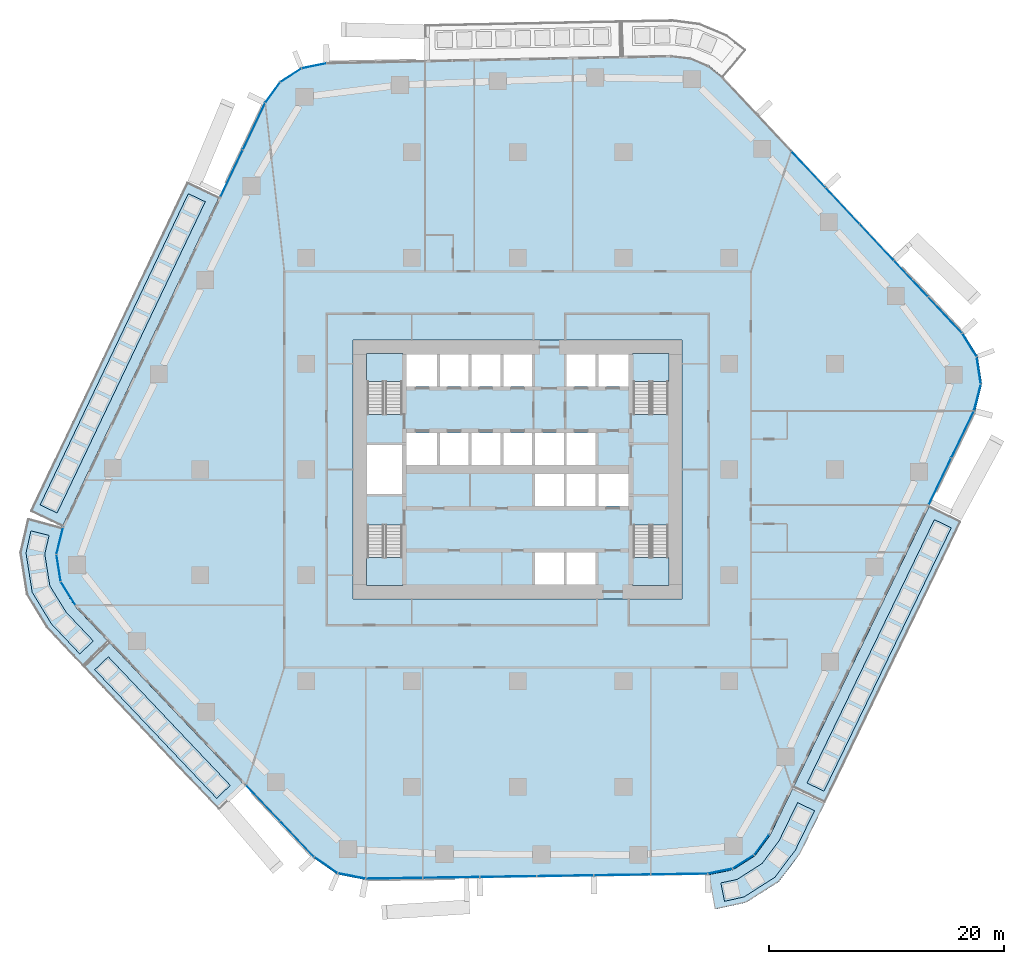
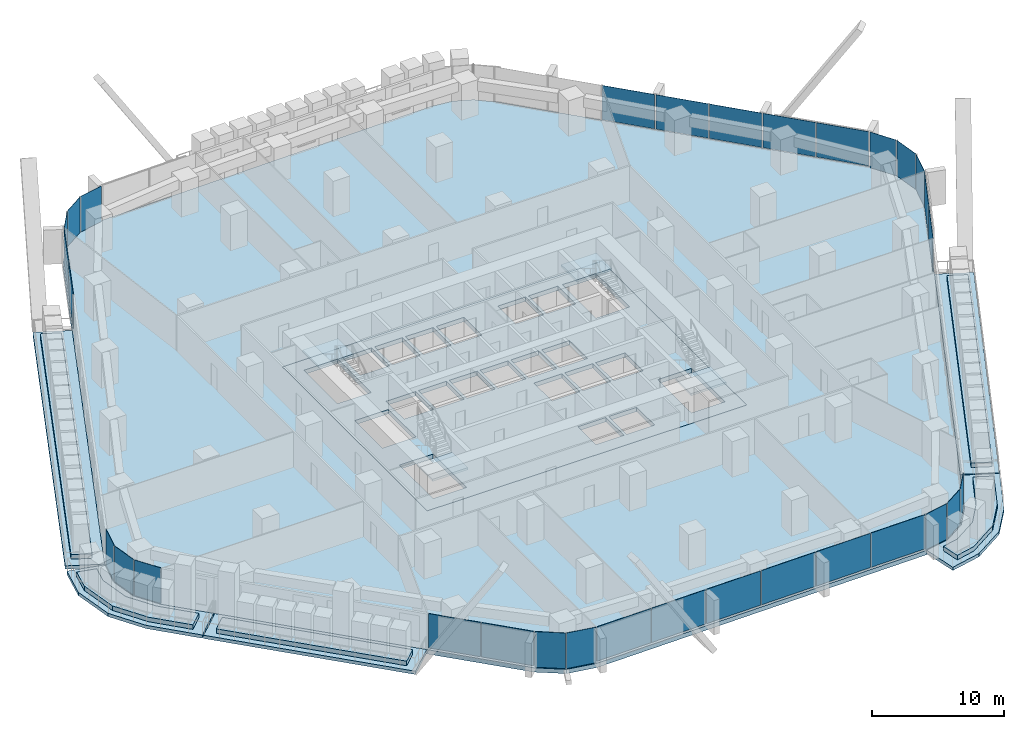
# One storey, part 10 of 24: 31 plates, 16 slabs, 14 elements without a shape of their own.
"""IFC4 building model written with IfcOpenShell, lengths in metres."""

import ifcopenshell
import ifcopenshell.guid

model = None  # the IFC model being written
_history = None  # IfcOwnerHistory: only IFC2X3 demands one
_inside = {}  # id of a spatial element -> (the spatial element, [elements in it])
_under = {}  # id of a project, library or spatial element -> (it, [spatial elements below it])
_declared = {}  # id of a project -> (the project, [libraries it declares])
_typed = {}  # id of a type object -> (the type object, [elements of that type])
_made_of = {}  # id of a material, layer set ... -> (it, [elements and type objects made of it])


def new_model(schema):
    """Start an empty IFC model of exactly this schema.

    Asked for "IFC4X3", IfcOpenShell would pick the latest addendum, in which some entities
    have other attributes; the version numbers below select the first issue.
    IFC2X3 requires an IfcOwnerHistory on every rooted entity: one is made here for all.
    """
    global model, _history
    if schema == "IFC4X3":
        model = ifcopenshell.file(schema_version=(4, 3, 0, 0))
    else:
        model = ifcopenshell.file(schema=schema)
    _inside.clear()
    _under.clear()
    _declared.clear()
    _typed.clear()
    _made_of.clear()
    _history = None
    if model.schema == "IFC2X3":
        org = make("IfcOrganization", Name="unknown")
        user = make(
            "IfcPersonAndOrganization",
            ThePerson=make("IfcPerson", FamilyName="unknown"),
            TheOrganization=org,
        )
        app = make(
            "IfcApplication",
            ApplicationDeveloper=org,
            Version="unknown",
            ApplicationFullName="unknown",
            ApplicationIdentifier="unknown",
        )
        _history = make(
            "IfcOwnerHistory",
            OwningUser=user,
            OwningApplication=app,
            ChangeAction="ADDED",
            CreationDate=0,
        )
    return model


def make(cls, **values):
    """One entity of the class cls with the attributes given. An attribute that is None is left unset."""
    return model.create_entity(
        cls, **{name: value for name, value in values.items() if value is not None}
    )


def rooted(cls, **values):
    """An entity with a GlobalId (a new one), such as an element, a storey or a relation."""
    return make(cls, GlobalId=ifcopenshell.guid.new(), OwnerHistory=_history, **values)


def si_unit(unit_type, name, prefix=None):
    """IfcSIUnit, for example si_unit("LENGTHUNIT", "METRE", prefix="MILLI")."""
    return make("IfcSIUnit", UnitType=unit_type, Prefix=prefix, Name=name)


def assignment(units):
    """IfcUnitAssignment: the units of a project."""
    return None if units is None else make("IfcUnitAssignment", Units=units)


def point(xyz):
    """IfcCartesianPoint."""
    return None if xyz is None else make("IfcCartesianPoint", Coordinates=xyz)


def direction(xyz):
    """IfcDirection."""
    return None if xyz is None else make("IfcDirection", DirectionRatios=xyz)


def frame(location, z_axis=None, x_axis=None):
    """IfcAxis2Placement3D, a coordinate frame: its origin and axes. An axis left out is left unset."""
    return make(
        "IfcAxis2Placement3D",
        Location=point(location),
        Axis=direction(z_axis),
        RefDirection=direction(x_axis),
    )


def frame_2d(location, x_axis=None):
    """IfcAxis2Placement2D, a coordinate frame in the plane: its origin and x axis."""
    return make(
        "IfcAxis2Placement2D", Location=point(location), RefDirection=direction(x_axis)
    )


def origin():
    """The frame at (0, 0, 0) with its axes left unset."""
    return frame((0.0, 0.0, 0.0))


def origin_2d():
    """The frame at (0, 0) in the plane with its x axis left unset."""
    return frame_2d((0.0, 0.0))


def place(relative_to, where):
    """IfcLocalPlacement: puts the frame where relative to a parent placement (None: the world)."""
    return make(
        "IfcLocalPlacement", PlacementRelTo=relative_to, RelativePlacement=where
    )


def context(
    kind, dimensions, precision=None, world=None, true_north=None, identifier=None
):
    """IfcGeometricRepresentationContext, for example the 3D "Model" context."""
    return make(
        "IfcGeometricRepresentationContext",
        ContextIdentifier=identifier,
        ContextType=kind,
        CoordinateSpaceDimension=dimensions,
        Precision=precision,
        WorldCoordinateSystem=world,
        TrueNorth=true_north,
    )


def subcontext(parent, identifier, kind, view, scale=None):
    """IfcGeometricRepresentationSubContext, for example "Body" below "Model"."""
    return make(
        "IfcGeometricRepresentationSubContext",
        ContextIdentifier=identifier,
        ContextType=kind,
        ParentContext=parent,
        TargetScale=scale,
        TargetView=view,
    )


def project(units=None, contexts=None):
    """IfcProject with its units and contexts."""
    return rooted(
        "IfcProject",
        Name="project",
        RepresentationContexts=contexts,
        UnitsInContext=assignment(units),
    )


def spatial(cls, under=None, at=None, **own):
    """A site, building, storey or space (cls), placed at a placement, below another one or the project."""
    s = rooted(cls, ObjectPlacement=at, **own)
    if under is not None:
        _under.setdefault(under.id(), (under, []))[1].append(s)
    return s


def polyline(points):
    """IfcPolyline through the points."""
    return make("IfcPolyline", Points=[point(p) for p in points])


def profile(cls, at=None, kind="AREA", **sizes):
    """A parametric profile (cls). Its sizes go by their IFC names, for example OverallWidth=200.0."""
    return make(cls, ProfileType=kind, Position=at, **sizes)


def rectangle(**sizes):
    """IfcRectangleProfileDef."""
    return profile("IfcRectangleProfileDef", **sizes)


def outline(outer, holes=None, kind="AREA"):
    """IfcArbitraryClosedProfileDef: a profile drawn as a closed curve; with holes, ...WithVoids."""
    if holes is None:
        return make("IfcArbitraryClosedProfileDef", ProfileType=kind, OuterCurve=outer)
    return make(
        "IfcArbitraryProfileDefWithVoids",
        ProfileType=kind,
        OuterCurve=outer,
        InnerCurves=holes,
    )


def extrude(swept, where, along, depth):
    """IfcExtrudedAreaSolid: the profile swept, set in the frame where, extruded along a direction by depth."""
    return make(
        "IfcExtrudedAreaSolid",
        SweptArea=swept,
        Position=where,
        ExtrudedDirection=direction(along),
        Depth=depth,
    )


def shape(context_of_items, identifier, shape_type, items):
    """IfcShapeRepresentation: the items that make up one representation, for example the "Body"."""
    return make(
        "IfcShapeRepresentation",
        ContextOfItems=context_of_items,
        RepresentationIdentifier=identifier,
        RepresentationType=shape_type,
        Items=items,
    )


def material(Name=None, Category=None):
    """IfcMaterial."""
    return make("IfcMaterial", Name=Name, Category=Category)


def layer(
    of_material, thickness, ventilated=None, Name=None, Category=None, Priority=None
):
    """IfcMaterialLayer: one layer of a wall or slab, of a material (None: an air gap)."""
    return make(
        "IfcMaterialLayer",
        Material=of_material,
        LayerThickness=thickness,
        IsVentilated=ventilated,
        Name=Name,
        Category=Category,
        Priority=Priority,
    )


def layer_set(layers, Name=None):
    """IfcMaterialLayerSet."""
    return make("IfcMaterialLayerSet", MaterialLayers=layers, LayerSetName=Name)


def made_of(thing, what):
    """Note that an element or type object is made of a material, layer set ...; save() writes the relation."""
    if what is not None:
        _made_of.setdefault(what.id(), (what, []))[1].append(thing)
    return thing


def type_object(cls, material=None, **own):
    """A type object (cls), such as IfcWallType, which elements share."""
    return made_of(rooted(cls, **own), material)


def element(
    cls,
    number,
    at=None,
    inside=None,
    cuts=None,
    type_object=None,
    material=None,
    context=None,
    identifier="Body",
    shape_type=None,
    held_by="IfcProductDefinitionShape",
    body=None,
    shapes=None,
    **own,
):
    """One element of the class cls, such as IfcWall. Its Tag is "e" and its number.

    at: its placement. inside: the storey or other place that contains it. cuts: it is an
    opening in that element (IfcRelVoidsElement). A single representation is given by context,
    identifier, shape_type and body (its items); several are given by shapes. held_by: the class
    of the entity that holds the representations. save() writes the other relations.
    """
    e = rooted(cls, Tag="e%d" % number, ObjectPlacement=at, **own)
    if body is not None:
        shapes = [shape(context, identifier, shape_type, body)]
    if shapes is not None:
        e.Representation = make(held_by, Representations=shapes)
    if inside is not None:
        _inside.setdefault(inside.id(), (inside, []))[1].append(e)
    if cuts is not None:
        rooted(
            "IfcRelVoidsElement", RelatingBuildingElement=cuts, RelatedOpeningElement=e
        )
    if type_object is not None:
        _typed.setdefault(type_object.id(), (type_object, []))[1].append(e)
    return made_of(e, material)


def aggregate(whole, parts):
    """IfcRelAggregates: a whole, such as a stair, and the parts it consists of."""
    return rooted("IfcRelAggregates", RelatingObject=whole, RelatedObjects=parts)


def save(model, path):
    """Write the relations noted so far, then the file.

    IfcRelAggregates (storeys below a building ...), IfcRelContainedInSpatialStructure (elements
    in a storey), IfcRelDefinesByType, IfcRelAssociatesMaterial and IfcRelDeclares: one each for
    every whole, place, type object, material and project.
    """
    for whole, parts in _under.values():
        aggregate(whole, parts)
    for where, things in _inside.values():
        rooted(
            "IfcRelContainedInSpatialStructure",
            RelatedElements=things,
            RelatingStructure=where,
        )
    for kind, things in _typed.values():
        rooted("IfcRelDefinesByType", RelatedObjects=things, RelatingType=kind)
    for what, things in _made_of.values():
        rooted("IfcRelAssociatesMaterial", RelatedObjects=things, RelatingMaterial=what)
    for by, libraries in _declared.values():
        rooted("IfcRelDeclares", RelatingContext=by, RelatedDefinitions=libraries)
    model.write(path)


model = new_model("IFC4")

# Units and contexts
model_context = context("Model", 3, precision=1e-05, world=origin(), true_north=direction((0.0, 1.0)))
body_context = subcontext(model_context, "Body", "Model", "MODEL_VIEW")
ifc_project = project(units=[si_unit("LENGTHUNIT", "METRE"), si_unit("AREAUNIT", "SQUARE_METRE"), si_unit("VOLUMEUNIT", "CUBIC_METRE"), si_unit("PLANEANGLEUNIT", "RADIAN"), si_unit("MASSUNIT", "GRAM", prefix="KILO")], contexts=[model_context])

# Site, building, storey
site_placement = place(None, origin())
site = spatial("IfcSite", under=ifc_project, at=site_placement, CompositionType="ELEMENT")
building_placement = place(site_placement, origin())
building = spatial("IfcBuilding", under=site, at=building_placement, Name="Dongbaek Canopy Tower", CompositionType="ELEMENT")
storey_placement = place(building_placement, frame((0.0, 0.0, 51.39990234375)))
storey = spatial("IfcBuildingStorey", under=building, at=storey_placement, Name="L08", CompositionType="ELEMENT", Elevation=51.39990234375)

# Slabs
ifc_material_1 = material(Name="Concrete C40/50", Category="concrete")
ifc_layer_1 = layer(ifc_material_1, 0.300048828125)
ifc_layer_set_1 = layer_set([ifc_layer_1], Name="Balcony slab 300")
slab_type_1 = type_object("IfcSlabType", Name="Balcony slab 300", PredefinedType="FLOOR", material=ifc_layer_set_1)
slab_1_placement = place(storey_placement, frame((0.0, 0.0, -0.2998046875)))
element("IfcSlab", 1, at=slab_1_placement, inside=storey, type_object=slab_type_1, Name="Balcony L08 2", PredefinedType="FLOOR", context=body_context, shape_type="SweptSolid", body=[
    extrude(outline(polyline([(-25.406494140625, 23.166015625), (-38.742919921875, -4.85205078125), (-41.45166015625, -3.5625), (-28.115234375, 24.455322265625), (-25.406494140625, 23.166015625)])), origin(), (0.0, 0.0, 1.0), 0.2998046875),
])
slab_2_placement = place(storey_placement, frame((0.0, 0.0, -0.2998046875)))
element("IfcSlab", 2, at=slab_2_placement, inside=storey, type_object=slab_type_1, Name="Balcony L08 3", PredefinedType="FLOOR", context=body_context, shape_type="SweptSolid", body=[
    extrude(outline(polyline([(-34.761962890625, -14.703125), (-23.21435546875, -26.880615234375), (-25.391357421875, -28.945068359375), (-36.93896484375, -16.767333984375), (-34.761962890625, -14.703125)])), origin(), (0.0, 0.0, 1.0), 0.2998046875),
])
slab_3_placement = place(storey_placement, frame((0.0, 0.0, -0.2998046875)))
element("IfcSlab", 3, at=slab_3_placement, inside=storey, type_object=slab_type_1, Name="Balcony L08 6", PredefinedType="FLOOR", context=body_context, shape_type="SweptSolid", body=[
    extrude(outline(polyline([(-38.7763671875, -4.945556640625), (-39.341064453125, -7.216552734375), (-38.966796875, -9.5771484375), (-37.700439453125, -11.6044921875), (-34.830810546875, -14.630615234375), (-37.0078125, -16.69482421875), (-40.072998046875, -13.4404296875), (-41.77685546875, -10.6279296875), (-42.33837890625, -7.0869140625), (-41.687744140625, -4.2216796875), (-38.7763671875, -4.945556640625)])), origin(), (0.0, 0.0, 1.0), 0.2998046875),
])
slab_4_placement = place(storey_placement, frame((0.0, 0.0, -0.2998046875)))
element("IfcSlab", 4, at=slab_4_placement, inside=storey, type_object=slab_type_1, Name="Balcony L08 4", PredefinedType="FLOOR", context=body_context, shape_type="SweptSolid", body=[
    extrude(outline(polyline([(23.449462890625, -27.0498046875), (35.02197265625, -3.111572265625), (37.722900390625, -4.41748046875), (26.150390625, -28.35546875), (23.449462890625, -27.0498046875)])), origin(), (0.0, 0.0, 1.0), 0.2998046875),
])
slab_5_placement = place(storey_placement, frame((0.0, 0.0, -0.2998046875)))
element("IfcSlab", 5, at=slab_5_placement, inside=storey, type_object=slab_type_1, Name="Balcony L08 7", PredefinedType="FLOOR", context=body_context, shape_type="SweptSolid", body=[
    extrude(outline(polyline([(16.2265625, -34.4775390625), (18.333251953125, -34.052734375), (20.187744140625, -32.870361328125), (21.49169921875, -31.099365234375), (23.406005859375, -27.1396484375), (26.10693359375, -28.445556640625), (24.06103515625, -32.648193359375), (22.23681640625, -35.061767578125), (19.455078125, -36.8349609375), (16.8193359375, -37.418212890625), (16.2265625, -34.4775390625)])), origin(), (0.0, 0.0, 1.0), 0.2998046875),
])

# Curtain wall, plates
ifc_material_2 = material(Name="Aluminium 6063-T6 pale anodised", Category="aluminium")
ifc_layer_2 = layer(ifc_material_2, 0.199951171875)
ifc_layer_set_2 = layer_set([ifc_layer_2], Name="CW-1 unitised tower curtain wall")
curtain_wall_type = type_object("IfcCurtainWallType", Name="CW-1 unitised tower curtain wall", PredefinedType="NOTDEFINED", material=ifc_layer_set_2)
curtain_wall_1_placement = place(storey_placement, origin())
curtain_wall_1 = element("IfcCurtainWall", 6, at=curtain_wall_1_placement, inside=storey, type_object=curtain_wall_type, Name="CW-1 curtain wall K0.1", PredefinedType="NOTDEFINED")
ifc_material_3 = material(Name="Clear laminated glass", Category="glass")
ifc_layer_3 = layer(ifc_material_3, 0.028076171875)
ifc_layer_set_3 = layer_set([ifc_layer_3], Name="CW-1 glazed panel 28")
plate_type = type_object("IfcPlateType", Name="CW-1 glazed panel 28", PredefinedType="CURTAIN_PANEL", material=ifc_layer_set_3)
plate_1_placement = place(storey_placement, frame((39.113037109375, 6.12109375, 0.0), z_axis=(0.0, 0.0, 1.0), x_axis=(0.247106006298, 0.968988452796, 0.0)))
plate_1 = element("IfcPlate", 7, at=plate_1_placement, type_object=plate_type, Name="CW-1 panel K0.1.1.1", PredefinedType="CURTAIN_PANEL", context=body_context, shape_type="SweptSolid", body=[
    extrude(rectangle(XDim=2.27685546875, YDim=0.028076171875, at=origin_2d()), origin(), (0.0, 0.0, 1.0), 3.300048828125),
])
plate_2_placement = place(storey_placement, frame((39.227294921875, 8.4267578125, 0.0), z_axis=(0.0, 0.0, 1.0), x_axis=(-0.150963855925, 0.988539283086, 0.0)))
plate_2 = element("IfcPlate", 8, at=plate_2_placement, type_object=plate_type, Name="CW-1 panel K0.1.2.1", PredefinedType="CURTAIN_PANEL", context=body_context, shape_type="SweptSolid", body=[
    extrude(rectangle(XDim=2.2666015625, YDim=0.028076171875, at=origin_2d()), origin(), (0.0, 0.0, 1.0), 3.300048828125),
])
plate_3_placement = place(storey_placement, frame((38.43017578125, 10.59326171875, 0.0), z_axis=(0.0, 0.0, 1.0), x_axis=(-0.525054339964, 0.851068704679, 0.0)))
plate_3 = element("IfcPlate", 9, at=plate_3_placement, type_object=plate_type, Name="CW-1 panel K0.1.3.1", PredefinedType="CURTAIN_PANEL", context=body_context, shape_type="SweptSolid", body=[
    extrude(rectangle(XDim=2.27685546875, YDim=0.028076171875, at=origin_2d()), origin(), (0.0, 0.0, 1.0), 3.300048828125),
])
aggregate(curtain_wall_1, [plate_1, plate_2, plate_3])

curtain_wall_2_placement = place(storey_placement, origin())
curtain_wall_2 = element("IfcCurtainWall", 10, at=curtain_wall_2_placement, inside=storey, type_object=curtain_wall_type, Name="CW-1 curtain wall F0.1", PredefinedType="NOTDEFINED")
plate_4_placement = place(storey_placement, frame((36.3603515625, 13.143798828125, 0.1201171875), z_axis=(0.0, 0.0, 1.0), x_axis=(-0.684120242484, 0.729369243815, 0.0)))
plate_4 = element("IfcPlate", 11, at=plate_4_placement, type_object=plate_type, Name="CW-1 panel F0.1.1.1", PredefinedType="CURTAIN_PANEL", context=body_context, shape_type="SweptSolid", body=[
    extrude(rectangle(XDim=4.15478515625, YDim=0.028076171875, at=origin_2d()), origin(), (0.0, 0.0, 1.0), 3.179931640625),
])
plate_5_placement = place(storey_placement, frame((33.45703125, 16.239013671875, 0.1201171875), z_axis=(0.0, 0.0, 1.0), x_axis=(-0.684120242484, 0.729369243815, 0.0)))
plate_5 = element("IfcPlate", 12, at=plate_5_placement, type_object=plate_type, Name="CW-1 panel F0.1.2.1", PredefinedType="CURTAIN_PANEL", context=body_context, shape_type="SweptSolid", body=[
    extrude(rectangle(XDim=4.164794921875, YDim=0.028076171875, at=origin_2d()), origin(), (0.0, 0.0, 1.0), 3.179931640625),
])
plate_6_placement = place(storey_placement, frame((30.55029296875, 19.338134765625, 0.1201171875), z_axis=(0.0, 0.0, 1.0), x_axis=(-0.684120242484, 0.729369243815, 0.0)))
plate_6 = element("IfcPlate", 13, at=plate_6_placement, type_object=plate_type, Name="CW-1 panel F0.1.3.1", PredefinedType="CURTAIN_PANEL", context=body_context, shape_type="SweptSolid", body=[
    extrude(rectangle(XDim=4.164794921875, YDim=0.028076171875, at=origin_2d()), origin(), (0.0, 0.0, 1.0), 3.179931640625),
])
plate_7_placement = place(storey_placement, frame((27.6435546875, 22.43701171875, 0.1201171875), z_axis=(0.0, 0.0, 1.0), x_axis=(-0.684120242484, 0.729369243815, 0.0)))
plate_7 = element("IfcPlate", 14, at=plate_7_placement, type_object=plate_type, Name="CW-1 panel F0.1.4.1", PredefinedType="CURTAIN_PANEL", context=body_context, shape_type="SweptSolid", body=[
    extrude(rectangle(XDim=4.164794921875, YDim=0.028076171875, at=origin_2d()), origin(), (0.0, 0.0, 1.0), 3.179931640625),
])
plate_8_placement = place(storey_placement, frame((24.73681640625, 25.5361328125, 0.1201171875), z_axis=(0.0, 0.0, 1.0), x_axis=(-0.684120242484, 0.729369243815, 0.0)))
plate_8 = element("IfcPlate", 15, at=plate_8_placement, type_object=plate_type, Name="CW-1 panel F0.1.5.1", PredefinedType="CURTAIN_PANEL", context=body_context, shape_type="SweptSolid", body=[
    extrude(rectangle(XDim=4.164794921875, YDim=0.028076171875, at=origin_2d()), origin(), (0.0, 0.0, 1.0), 3.179931640625),
])
aggregate(curtain_wall_2, [plate_4, plate_5, plate_6, plate_7, plate_8])

curtain_wall_3_placement = place(storey_placement, origin())
curtain_wall_3 = element("IfcCurtainWall", 16, at=curtain_wall_3_placement, inside=storey, type_object=curtain_wall_type, Name="CW-1 curtain wall K2.1", PredefinedType="NOTDEFINED")
plate_9_placement = place(storey_placement, frame((-17.31689453125, 34.341796875, 0.0), z_axis=(0.0, 0.0, 1.0), x_axis=(-0.979190682113, -0.202942376216, 0.0)))
plate_9 = element("IfcPlate", 17, at=plate_9_placement, type_object=plate_type, Name="CW-1 panel K2.1.1.1", PredefinedType="CURTAIN_PANEL", context=body_context, shape_type="SweptSolid", body=[
    extrude(rectangle(XDim=2.0888671875, YDim=0.028076171875, at=origin_2d()), origin(), (0.0, 0.0, 1.0), 3.300048828125),
])
plate_10_placement = place(storey_placement, frame((-19.289306640625, 33.53466796875, 0.0), z_axis=(0.0, 0.0, 1.0), x_axis=(-0.840152741628, -0.542349860086, 0.0)))
plate_10 = element("IfcPlate", 18, at=plate_10_placement, type_object=plate_type, Name="CW-1 panel K2.1.2.1", PredefinedType="CURTAIN_PANEL", context=body_context, shape_type="SweptSolid", body=[
    extrude(rectangle(XDim=2.079345703125, YDim=0.028076171875, at=origin_2d()), origin(), (0.0, 0.0, 1.0), 3.300048828125),
])
plate_11_placement = place(storey_placement, frame((-20.837158203125, 32.0693359375, 0.0), z_axis=(0.0, 0.0, 1.0), x_axis=(-0.58808990222, -0.808795565583, 0.0)))
plate_11 = element("IfcPlate", 19, at=plate_11_placement, type_object=plate_type, Name="CW-1 panel K2.1.3.1", PredefinedType="CURTAIN_PANEL", context=body_context, shape_type="SweptSolid", body=[
    extrude(rectangle(XDim=2.0888671875, YDim=0.028076171875, at=origin_2d()), origin(), (0.0, 0.0, 1.0), 3.300048828125),
])
aggregate(curtain_wall_3, [plate_9, plate_10, plate_11])

curtain_wall_4_placement = place(storey_placement, origin())
curtain_wall_4 = element("IfcCurtainWall", 20, at=curtain_wall_4_placement, inside=storey, type_object=curtain_wall_type, Name="CW-1 curtain wall F2.1", PredefinedType="NOTDEFINED")
plate_12_placement = place(storey_placement, frame((-22.4296875, 29.18701171875, 0.1201171875), z_axis=(0.0, 0.0, 1.0), x_axis=(-0.429790128796, -0.902928815129, 0.0)))
plate_12 = element("IfcPlate", 21, at=plate_12_placement, type_object=plate_type, Name="CW-1 panel F2.1.1.1", PredefinedType="CURTAIN_PANEL", context=body_context, shape_type="SweptSolid", body=[
    extrude(rectangle(XDim=4.35400390625, YDim=0.028076171875, at=origin_2d()), origin(), (0.0, 0.0, 1.0), 3.179931640625),
])
plate_13_placement = place(storey_placement, frame((-24.339111328125, 25.17578125, 0.1201171875), z_axis=(0.0, 0.0, 1.0), x_axis=(-0.429790128796, -0.902928815129, 0.0)))
plate_13 = element("IfcPlate", 22, at=plate_13_placement, type_object=plate_type, Name="CW-1 panel F2.1.2.1", PredefinedType="CURTAIN_PANEL", context=body_context, shape_type="SweptSolid", body=[
    extrude(rectangle(XDim=4.363037109375, YDim=0.028076171875, at=origin_2d()), origin(), (0.0, 0.0, 1.0), 3.179931640625),
])
aggregate(curtain_wall_4, [plate_12, plate_13])

curtain_wall_5_placement = place(storey_placement, origin())
curtain_wall_5 = element("IfcCurtainWall", 23, at=curtain_wall_5_placement, inside=storey, type_object=curtain_wall_type, Name="CW-1 curtain wall K3.1", PredefinedType="NOTDEFINED")
plate_14_placement = place(storey_placement, frame((-38.954345703125, -6.075927734375, 0.0), z_axis=(0.0, 0.0, 1.0), x_axis=(-0.241335352072, -0.970441779727, 0.0)))
plate_14 = element("IfcPlate", 24, at=plate_14_placement, type_object=plate_type, Name="CW-1 panel K3.1.1.1", PredefinedType="CURTAIN_PANEL", context=body_context, shape_type="SweptSolid", body=[
    extrude(rectangle(XDim=2.275634765625, YDim=0.028076171875, at=origin_2d()), origin(), (0.0, 0.0, 1.0), 3.300048828125),
])
plate_15_placement = place(storey_placement, frame((-39.05517578125, -8.38134765625, 0.0), z_axis=(0.0, 0.0, 1.0), x_axis=(0.156647905474, -0.98765451131, 0.0)))
plate_15 = element("IfcPlate", 25, at=plate_15_placement, type_object=plate_type, Name="CW-1 panel K3.1.2.1", PredefinedType="CURTAIN_PANEL", context=body_context, shape_type="SweptSolid", body=[
    extrude(rectangle(XDim=2.265380859375, YDim=0.028076171875, at=origin_2d()), origin(), (0.0, 0.0, 1.0), 3.300048828125),
])
plate_16_placement = place(storey_placement, frame((-38.24609375, -10.542236328125, 0.0), z_axis=(0.0, 0.0, 1.0), x_axis=(0.52977318447, -0.848139359431, 0.0)))
plate_16 = element("IfcPlate", 26, at=plate_16_placement, type_object=plate_type, Name="CW-1 panel K3.1.3.1", PredefinedType="CURTAIN_PANEL", context=body_context, shape_type="SweptSolid", body=[
    extrude(rectangle(XDim=2.275634765625, YDim=0.028076171875, at=origin_2d()), origin(), (0.0, 0.0, 1.0), 3.300048828125),
])
aggregate(curtain_wall_5, [plate_14, plate_15, plate_16])

curtain_wall_6_placement = place(storey_placement, origin())
curtain_wall_6 = element("IfcCurtainWall", 27, at=curtain_wall_6_placement, inside=storey, type_object=curtain_wall_type, Name="CW-1 curtain wall F3.1", PredefinedType="NOTDEFINED")
plate_17_placement = place(storey_placement, frame((-21.655517578125, -28.37939453125, 0.1201171875), z_axis=(0.0, 0.0, 1.0), x_axis=(0.688088738098, -0.725626548924, 0.0)))
plate_17 = element("IfcPlate", 28, at=plate_17_placement, type_object=plate_type, Name="CW-1 panel F3.1.1.1", PredefinedType="CURTAIN_PANEL", context=body_context, shape_type="SweptSolid", body=[
    extrude(rectangle(XDim=4.136474609375, YDim=0.028076171875, at=origin_2d()), origin(), (0.0, 0.0, 1.0), 3.179931640625),
])
plate_18_placement = place(storey_placement, frame((-18.7548828125, -31.438232421875, 0.1201171875), z_axis=(0.0, 0.0, 1.0), x_axis=(0.688088738098, -0.725626548924, 0.0)))
plate_18 = element("IfcPlate", 29, at=plate_18_placement, type_object=plate_type, Name="CW-1 panel F3.1.2.1", PredefinedType="CURTAIN_PANEL", context=body_context, shape_type="SweptSolid", body=[
    extrude(rectangle(XDim=4.126220703125, YDim=0.028076171875, at=origin_2d()), origin(), (0.0, 0.0, 1.0), 3.179931640625),
])
aggregate(curtain_wall_6, [plate_17, plate_18])

curtain_wall_7_placement = place(storey_placement, origin())
curtain_wall_7 = element("IfcCurtainWall", 30, at=curtain_wall_7_placement, inside=storey, type_object=curtain_wall_type, Name="CW-1 curtain wall K4.1", PredefinedType="NOTDEFINED")
plate_19_placement = place(storey_placement, frame((-16.306884765625, -33.6572265625, 0.0), z_axis=(0.0, 0.0, 1.0), x_axis=(0.822329407338, -0.569011727319, 0.0)))
plate_19 = element("IfcPlate", 31, at=plate_19_placement, type_object=plate_type, Name="CW-1 panel K4.1.1.1", PredefinedType="CURTAIN_PANEL", context=body_context, shape_type="SweptSolid", body=[
    extrude(rectangle(XDim=2.3466796875, YDim=0.028076171875, at=origin_2d()), origin(), (0.0, 0.0, 1.0), 3.300048828125),
])
plate_20_placement = place(storey_placement, frame((-14.114501953125, -34.580810546875, 0.0), z_axis=(0.0, 0.0, 1.0), x_axis=(0.981620425648, -0.190843757955, 0.0)))
plate_20 = element("IfcPlate", 32, at=plate_20_placement, type_object=plate_type, Name="CW-1 panel K4.1.2.1", PredefinedType="CURTAIN_PANEL", context=body_context, shape_type="SweptSolid", body=[
    extrude(rectangle(XDim=2.3466796875, YDim=0.028076171875, at=origin_2d()), origin(), (0.0, 0.0, 1.0), 3.300048828125),
])
aggregate(curtain_wall_7, [plate_19, plate_20])

curtain_wall_8_placement = place(storey_placement, origin())
curtain_wall_8 = element("IfcCurtainWall", 33, at=curtain_wall_8_placement, inside=storey, type_object=curtain_wall_type, Name="CW-1 curtain wall F4.1", PredefinedType="NOTDEFINED")
plate_21_placement = place(storey_placement, frame((-10.5009765625, -34.77734375, 0.1201171875), z_axis=(0.0, 0.0, 1.0), x_axis=(0.999893139462, 0.014618811778, 0.0)))
plate_21 = element("IfcPlate", 34, at=plate_21_placement, type_object=plate_type, Name="CW-1 panel F4.1.1.1", PredefinedType="CURTAIN_PANEL", context=body_context, shape_type="SweptSolid", body=[
    extrude(rectangle(XDim=4.757568359375, YDim=0.028076171875, at=origin_2d()), origin(), (0.0, 0.0, 1.0), 3.179931640625),
])
plate_22_placement = place(storey_placement, frame((-5.65478515625, -34.70654296875, 0.1201171875), z_axis=(0.0, 0.0, 1.0), x_axis=(0.999893139462, 0.014618811778, 0.0)))
plate_22 = element("IfcPlate", 35, at=plate_22_placement, type_object=plate_type, Name="CW-1 panel F4.1.2.1", PredefinedType="CURTAIN_PANEL", context=body_context, shape_type="SweptSolid", body=[
    extrude(rectangle(XDim=4.767822265625, YDim=0.028076171875, at=origin_2d()), origin(), (0.0, 0.0, 1.0), 3.179931640625),
])
plate_23_placement = place(storey_placement, frame((-0.803466796875, -34.635498046875, 0.1201171875), z_axis=(0.0, 0.0, 1.0), x_axis=(0.999893139462, 0.014618811778, 0.0)))
plate_23 = element("IfcPlate", 36, at=plate_23_placement, type_object=plate_type, Name="CW-1 panel F4.1.3.1", PredefinedType="CURTAIN_PANEL", context=body_context, shape_type="SweptSolid", body=[
    extrude(rectangle(XDim=4.767822265625, YDim=0.028076171875, at=origin_2d()), origin(), (0.0, 0.0, 1.0), 3.179931640625),
])
plate_24_placement = place(storey_placement, frame((4.0478515625, -34.564697265625, 0.1201171875), z_axis=(0.0, 0.0, 1.0), x_axis=(0.999893139462, 0.014618811778, 0.0)))
plate_24 = element("IfcPlate", 37, at=plate_24_placement, type_object=plate_type, Name="CW-1 panel F4.1.4.1", PredefinedType="CURTAIN_PANEL", context=body_context, shape_type="SweptSolid", body=[
    extrude(rectangle(XDim=4.767822265625, YDim=0.028076171875, at=origin_2d()), origin(), (0.0, 0.0, 1.0), 3.179931640625),
])
plate_25_placement = place(storey_placement, frame((8.899169921875, -34.49365234375, 0.1201171875), z_axis=(0.0, 0.0, 1.0), x_axis=(0.999893139462, 0.014618811778, 0.0)))
plate_25 = element("IfcPlate", 38, at=plate_25_placement, type_object=plate_type, Name="CW-1 panel F4.1.5.1", PredefinedType="CURTAIN_PANEL", context=body_context, shape_type="SweptSolid", body=[
    extrude(rectangle(XDim=4.767822265625, YDim=0.028076171875, at=origin_2d()), origin(), (0.0, 0.0, 1.0), 3.179931640625),
])
plate_26_placement = place(storey_placement, frame((13.745849609375, -34.4228515625, 0.1201171875), z_axis=(0.0, 0.0, 1.0), x_axis=(0.999893139462, 0.014618811778, 0.0)))
plate_26 = element("IfcPlate", 39, at=plate_26_placement, type_object=plate_type, Name="CW-1 panel F4.1.6.1", PredefinedType="CURTAIN_PANEL", context=body_context, shape_type="SweptSolid", body=[
    extrude(rectangle(XDim=4.758544921875, YDim=0.028076171875, at=origin_2d()), origin(), (0.0, 0.0, 1.0), 3.179931640625),
])
aggregate(curtain_wall_8, [plate_21, plate_22, plate_23, plate_24, plate_25, plate_26])

curtain_wall_9_placement = place(storey_placement, origin())
curtain_wall_9 = element("IfcCurtainWall", 40, at=curtain_wall_9_placement, inside=storey, type_object=curtain_wall_type, Name="CW-1 curtain wall K5.1", PredefinedType="NOTDEFINED")
plate_27_placement = place(storey_placement, frame((17.23095703125, -34.1728515625, 0.0), z_axis=(0.0, 0.0, 1.0), x_axis=(0.980278506485, 0.19762097491, 0.0)))
plate_27 = element("IfcPlate", 41, at=plate_27_placement, type_object=plate_type, Name="CW-1 panel K5.1.1.1", PredefinedType="CURTAIN_PANEL", context=body_context, shape_type="SweptSolid", body=[
    extrude(rectangle(XDim=2.08740234375, YDim=0.028076171875, at=origin_2d()), origin(), (0.0, 0.0, 1.0), 3.300048828125),
])
plate_28_placement = place(storey_placement, frame((19.206787109375, -33.377197265625, 0.0), z_axis=(0.0, 0.0, 1.0), x_axis=(0.843219122393, 0.53757000626, 0.0)))
plate_28 = element("IfcPlate", 42, at=plate_28_placement, type_object=plate_type, Name="CW-1 panel K5.1.2.1", PredefinedType="CURTAIN_PANEL", context=body_context, shape_type="SweptSolid", body=[
    extrude(rectangle(XDim=2.077880859375, YDim=0.028076171875, at=origin_2d()), origin(), (0.0, 0.0, 1.0), 3.300048828125),
])
plate_29_placement = place(storey_placement, frame((20.761962890625, -31.921875, 0.0), z_axis=(0.0, 0.0, 1.0), x_axis=(0.592872727538, 0.805296174673, 0.0)))
plate_29 = element("IfcPlate", 43, at=plate_29_placement, type_object=plate_type, Name="CW-1 panel K5.1.3.1", PredefinedType="CURTAIN_PANEL", context=body_context, shape_type="SweptSolid", body=[
    extrude(rectangle(XDim=2.08740234375, YDim=0.028076171875, at=origin_2d()), origin(), (0.0, 0.0, 1.0), 3.300048828125),
])
aggregate(curtain_wall_9, [plate_27, plate_28, plate_29])

curtain_wall_10_placement = place(storey_placement, origin())
curtain_wall_10 = element("IfcCurtainWall", 44, at=curtain_wall_10_placement, inside=storey, type_object=curtain_wall_type, Name="CW-1 curtain wall F5.1", PredefinedType="NOTDEFINED")
plate_30_placement = place(storey_placement, frame((35.921630859375, -1.020751953125, 0.1201171875), z_axis=(0.0, 0.0, 1.0), x_axis=(0.435244979817, 0.900312061201, 0.0)))
plate_30 = element("IfcPlate", 45, at=plate_30_placement, type_object=plate_type, Name="CW-1 panel F5.1.1.1", PredefinedType="CURTAIN_PANEL", context=body_context, shape_type="SweptSolid", body=[
    extrude(rectangle(XDim=4.364013671875, YDim=0.028076171875, at=origin_2d()), origin(), (0.0, 0.0, 1.0), 3.179931640625),
])
plate_31_placement = place(storey_placement, frame((37.85546875, 2.9794921875, 0.1201171875), z_axis=(0.0, 0.0, 1.0), x_axis=(0.435244979817, 0.900312061201, 0.0)))
plate_31 = element("IfcPlate", 46, at=plate_31_placement, type_object=plate_type, Name="CW-1 panel F5.1.2.1", PredefinedType="CURTAIN_PANEL", context=body_context, shape_type="SweptSolid", body=[
    extrude(rectangle(XDim=4.35400390625, YDim=0.028076171875, at=origin_2d()), origin(), (0.0, 0.0, 1.0), 3.179931640625),
])
aggregate(curtain_wall_10, [plate_30, plate_31])

# Slab
ifc_material_4 = material(Name="Concrete C40/50", Category="concrete")
ifc_layer_4 = layer(ifc_material_4, 0.39990234375)
ifc_layer_set_4 = layer_set([ifc_layer_4], Name="Core floor slab 400 Concrete C40/50")
slab_type_2 = type_object("IfcSlabType", Name="Core floor slab 400 Concrete C40/50", PredefinedType="FLOOR", material=ifc_layer_set_4)
slab_6_placement = place(storey_placement, frame((0.0, 0.0, -0.39990234375)))
element("IfcSlab", 47, at=slab_6_placement, inside=storey, type_object=slab_type_2, Name="Core floor slab L08", PredefinedType="FLOOR", context=body_context, shape_type="SweptSolid", body=[
    extrude(outline(polyline([(14.0, -11.0), (14.0, 11.0), (-14.0, 11.0), (-14.0, -11.0), (14.0, -11.0)]), holes=[polyline([(-12.800048828125, 2.10009765625), (-9.85009765625, 2.10009765625), (-9.85009765625, -2.10009765625), (-12.800048828125, -2.10009765625), (-12.800048828125, 2.10009765625)]), polyline([(-6.875, 9.800048828125), (-6.875, 7.074951171875), (-9.449951171875, 7.074951171875), (-9.449951171875, 9.800048828125), (-6.875, 9.800048828125)]), polyline([(-4.175048828125, 9.800048828125), (-4.175048828125, 7.074951171875), (-6.625, 7.074951171875), (-6.625, 9.800048828125), (-4.175048828125, 9.800048828125)]), polyline([(-1.47509765625, 9.800048828125), (-1.47509765625, 7.074951171875), (-3.925048828125, 7.074951171875), (-3.925048828125, 9.800048828125), (-1.47509765625, 9.800048828125)]), polyline([(1.22509765625, 9.800048828125), (1.22509765625, 7.074951171875), (-1.22509765625, 7.074951171875), (-1.22509765625, 9.800048828125), (1.22509765625, 9.800048828125)]), polyline([(6.625, 9.800048828125), (6.625, 7.074951171875), (4.175048828125, 7.074951171875), (4.175048828125, 9.800048828125), (6.625, 9.800048828125)]), polyline([(9.449951171875, 7.074951171875), (6.875, 7.074951171875), (6.875, 9.800048828125), (9.449951171875, 9.800048828125), (9.449951171875, 7.074951171875)]), polyline([(-9.449951171875, 3.125), (-6.875, 3.125), (-6.875, 0.39990234375), (-9.449951171875, 0.39990234375), (-9.449951171875, 3.125)]), polyline([(-6.625, 3.125), (-4.175048828125, 3.125), (-4.175048828125, 0.39990234375), (-6.625, 0.39990234375), (-6.625, 3.125)]), polyline([(-3.925048828125, 3.125), (-1.47509765625, 3.125), (-1.47509765625, 0.39990234375), (-3.925048828125, 0.39990234375), (-3.925048828125, 3.125)]), polyline([(-1.22509765625, 3.125), (1.22509765625, 3.125), (1.22509765625, 0.39990234375), (-1.22509765625, 0.39990234375), (-1.22509765625, 3.125)]), polyline([(1.47509765625, 0.39990234375), (1.47509765625, 3.125), (3.925048828125, 3.125), (3.925048828125, 0.39990234375), (1.47509765625, 0.39990234375)]), polyline([(4.175048828125, 0.39990234375), (4.175048828125, 3.125), (6.625, 3.125), (6.625, 0.39990234375), (4.175048828125, 0.39990234375)]), polyline([(3.925048828125, -0.39990234375), (3.925048828125, -3.125), (1.47509765625, -3.125), (1.47509765625, -0.39990234375), (3.925048828125, -0.39990234375)]), polyline([(6.625, -0.39990234375), (6.625, -3.125), (4.175048828125, -3.125), (4.175048828125, -0.39990234375), (6.625, -0.39990234375)]), polyline([(9.449951171875, -3.125), (6.875, -3.125), (6.875, -0.39990234375), (9.449951171875, -0.39990234375), (9.449951171875, -3.125)]), polyline([(1.47509765625, -9.800048828125), (1.47509765625, -7.074951171875), (3.925048828125, -7.074951171875), (3.925048828125, -9.800048828125), (1.47509765625, -9.800048828125)]), polyline([(4.175048828125, -9.800048828125), (4.175048828125, -7.074951171875), (6.625, -7.074951171875), (6.625, -9.800048828125), (4.175048828125, -9.800048828125)]), polyline([(12.800048828125, 4.70068359375), (12.800048828125, 9.800048828125), (9.85009765625, 9.800048828125), (9.85009765625, 4.70068359375), (12.800048828125, 4.70068359375)]), polyline([(-9.85009765625, 4.70068359375), (-9.85009765625, 9.800048828125), (-12.800048828125, 9.800048828125), (-12.800048828125, 4.70068359375), (-9.85009765625, 4.70068359375)]), polyline([(9.85009765625, -4.70068359375), (9.85009765625, -9.800048828125), (12.800048828125, -9.800048828125), (12.800048828125, -4.70068359375), (9.85009765625, -4.70068359375)]), polyline([(-12.800048828125, -4.70068359375), (-12.800048828125, -9.800048828125), (-9.85009765625, -9.800048828125), (-9.85009765625, -4.70068359375), (-12.800048828125, -4.70068359375)])]), origin(), (0.0, 0.0, 1.0), 0.39990234375),
])

# Stair, slab
ifc_material_5 = material(Name="Concrete C40/50", Category="concrete")
stair_type = type_object("IfcStairType", Name="Core exit stair", PredefinedType="HALF_TURN_STAIR", material=ifc_material_5)
stair_1_placement = place(storey_placement, origin())
stair_1 = element("IfcStair", 48, at=stair_1_placement, inside=storey, type_object=stair_type, Name="L08 exit stair A", PredefinedType="HALF_TURN_STAIR")
ifc_material_6 = material(Name="Concrete C40/50", Category="concrete")
ifc_layer_5 = layer(ifc_material_6, 0.199951171875)
ifc_layer_set_5 = layer_set([ifc_layer_5], Name="Core stair landing 200")
slab_type_3 = type_object("IfcSlabType", Name="Core stair landing 200", PredefinedType="LANDING", material=ifc_layer_set_5)
slab_7_placement = place(storey_placement, frame((0.0, 0.0, 1.650146484375)))
slab_7 = element("IfcSlab", 49, at=slab_7_placement, type_object=slab_type_3, Name="ST-A landing 1", PredefinedType="LANDING", context=body_context, shape_type="SweptSolid", body=[
    extrude(outline(polyline([(12.875, 7.5), (12.875, 9.875), (9.77490234375, 9.875), (9.77490234375, 7.5), (12.875, 7.5)])), origin(), (0.0, 0.0, 1.0), 0.199951171875),
])
aggregate(stair_1, [slab_7])

stair_2_placement = place(storey_placement, origin())
stair_2 = element("IfcStair", 50, at=stair_2_placement, inside=storey, type_object=stair_type, Name="L08 exit stair C", PredefinedType="HALF_TURN_STAIR")
slab_8_placement = place(storey_placement, frame((0.0, 0.0, 1.650146484375)))
slab_8 = element("IfcSlab", 51, at=slab_8_placement, type_object=slab_type_3, Name="ST-C landing 1", PredefinedType="LANDING", context=body_context, shape_type="SweptSolid", body=[
    extrude(outline(polyline([(-9.77490234375, 7.5), (-9.77490234375, 9.875), (-12.875, 9.875), (-12.875, 7.5), (-9.77490234375, 7.5)])), origin(), (0.0, 0.0, 1.0), 0.199951171875),
])
aggregate(stair_2, [slab_8])

stair_3_placement = place(storey_placement, origin())
stair_3 = element("IfcStair", 52, at=stair_3_placement, inside=storey, type_object=stair_type, Name="L08 exit stair B", PredefinedType="HALF_TURN_STAIR")
slab_9_placement = place(storey_placement, frame((0.0, 0.0, 1.650146484375)))
slab_9 = element("IfcSlab", 53, at=slab_9_placement, type_object=slab_type_3, Name="ST-B landing 1", PredefinedType="LANDING", context=body_context, shape_type="SweptSolid", body=[
    extrude(outline(polyline([(9.77490234375, -7.5), (9.77490234375, -9.875), (12.875, -9.875), (12.875, -7.5), (9.77490234375, -7.5)])), origin(), (0.0, 0.0, 1.0), 0.199951171875),
])
aggregate(stair_3, [slab_9])

stair_4_placement = place(storey_placement, origin())
stair_4 = element("IfcStair", 54, at=stair_4_placement, inside=storey, type_object=stair_type, Name="L08 exit stair D", PredefinedType="HALF_TURN_STAIR")
slab_10_placement = place(storey_placement, frame((0.0, 0.0, 1.650146484375)))
slab_10 = element("IfcSlab", 55, at=slab_10_placement, type_object=slab_type_3, Name="ST-D landing 1", PredefinedType="LANDING", context=body_context, shape_type="SweptSolid", body=[
    extrude(outline(polyline([(-12.875, -7.5), (-12.875, -9.875), (-9.77490234375, -9.875), (-9.77490234375, -7.5), (-12.875, -7.5)])), origin(), (0.0, 0.0, 1.0), 0.199951171875),
])
aggregate(stair_4, [slab_10])

# Slabs
ifc_material_7 = material(Name="Concrete C40", Category="concrete")
ifc_layer_6 = layer(ifc_material_7, 0.39990234375)
ifc_layer_set_6 = layer_set([ifc_layer_6], Name="RC FLAT PLATE 400 Concrete C40")
slab_type_4 = type_object("IfcSlabType", Name="RC FLAT PLATE 400 Concrete C40", PredefinedType="FLOOR", material=ifc_layer_set_6)
slab_11_placement = place(storey_placement, frame((0.0, 0.0, -0.39990234375)))
element("IfcSlab", 56, at=slab_11_placement, inside=storey, type_object=slab_type_4, Name="SLAB:L08", PredefinedType="FLOOR", context=body_context, shape_type="SweptSolid", body=[
    extrude(outline(polyline([(21.49169921875, -31.099365234375), (20.187744140625, -32.870361328125), (18.33349609375, -34.052734375), (16.177490234375, -34.4873046875), (-12.930419921875, -34.912841796875), (-15.34716796875, -34.443115234375), (-17.371826171875, -33.0419921875), (-37.700439453125, -11.6044921875), (-38.966796875, -9.5771484375), (-39.34130859375, -7.216552734375), (-38.764404296875, -4.897216796875), (-21.562255859375, 31.241943359375), (-20.26806640625, 33.02197265625), (-18.419189453125, 34.21533203125), (-16.264404296875, 34.662109375), (13.047119140625, 35.24609375), (14.704345703125, 35.047119140625), (16.24267578125, 34.39892578125), (17.542724609375, 33.35205078125), (37.89013671875, 11.658935546875), (39.145751953125, 9.623779296875), (39.506591796875, 7.260009765625), (38.915771484375, 4.942626953125), (21.49169921875, -31.099365234375)]), holes=[polyline([(14.0, 11.0), (-14.0, 11.0), (-14.0, -11.0), (14.0, -11.0), (14.0, 11.0)])]), origin(), (0.0, 0.0, 1.0), 0.39990234375),
])
ifc_material_8 = material(Name="Reinforced concrete C40/50 planter box with soil", Category="concrete")
ifc_layer_7 = layer(ifc_material_8, 0.419921875)
ifc_layer_set_7 = layer_set([ifc_layer_7], Name="Terrace planter box 1600 x 420")
slab_type_5 = type_object("IfcSlabType", Name="Terrace planter box 1600 x 420", PredefinedType="USERDEFINED", material=ifc_layer_set_7)
slab_12_placement = place(storey_placement, origin())
element("IfcSlab", 57, at=slab_12_placement, inside=storey, type_object=slab_type_5, Name="Balcony planter L08 2", ObjectType="PLANTER", PredefinedType="USERDEFINED", context=body_context, shape_type="SweptSolid", body=[
    extrude(outline(polyline([(-26.575439453125, 22.781005859375), (-39.18115234375, -3.701904296875), (-40.625732421875, -3.014404296875), (-28.02001953125, 23.468505859375), (-26.575439453125, 22.781005859375)])), origin(), (0.0, 0.0, 1.0), 0.420166015625),
])
slab_13_placement = place(storey_placement, origin())
element("IfcSlab", 58, at=slab_13_placement, inside=storey, type_object=slab_type_5, Name="Balcony planter L08 3", ObjectType="PLANTER", PredefinedType="USERDEFINED", context=body_context, shape_type="SweptSolid", body=[
    extrude(outline(polyline([(-34.822998046875, -15.932373046875), (-24.445068359375, -26.876220703125), (-25.606201171875, -27.977294921875), (-35.98388671875, -17.033203125), (-34.822998046875, -15.932373046875)])), origin(), (0.0, 0.0, 1.0), 0.420166015625),
])
slab_14_placement = place(storey_placement, origin())
element("IfcSlab", 59, at=slab_14_placement, inside=storey, type_object=slab_type_5, Name="Balcony planter L08 6", ObjectType="PLANTER", PredefinedType="USERDEFINED", context=body_context, shape_type="SweptSolid", body=[
    extrude(outline(polyline([(-39.857177734375, -5.604248046875), (-40.230224609375, -7.17822265625), (-39.80029296875, -9.888916015625), (-38.404296875, -12.149169921875), (-36.095947265625, -14.58984375), (-37.2568359375, -15.69091796875), (-39.669677734375, -13.128173828125), (-41.299072265625, -10.44921875), (-41.828857421875, -7.10888671875), (-41.409912109375, -5.218017578125), (-39.857177734375, -5.604248046875)])), origin(), (0.0, 0.0, 1.0), 0.420166015625),
])
slab_15_placement = place(storey_placement, origin())
element("IfcSlab", 60, at=slab_15_placement, inside=storey, type_object=slab_type_5, Name="Balcony planter L08 4", ObjectType="PLANTER", PredefinedType="USERDEFINED", context=body_context, shape_type="SweptSolid", body=[
    extrude(outline(polyline([(24.62060546875, -26.671875), (35.453369140625, -4.26416015625), (36.893798828125, -4.960693359375), (26.061279296875, -27.3681640625), (24.62060546875, -26.671875)])), origin(), (0.0, 0.0, 1.0), 0.420166015625),
])
slab_16_placement = place(storey_placement, origin())
element("IfcSlab", 61, at=slab_16_placement, inside=storey, type_object=slab_type_5, Name="Balcony planter L08 7", ObjectType="PLANTER", PredefinedType="USERDEFINED", context=body_context, shape_type="SweptSolid", body=[
    extrude(outline(polyline([(17.28466796875, -35.172119140625), (18.666259765625, -34.878173828125), (20.795654296875, -33.5205078125), (22.25390625, -31.558837890625), (23.8154296875, -28.33740234375), (25.255859375, -29.03369140625), (23.624267578125, -32.384765625), (21.888427734375, -34.689208984375), (19.264404296875, -36.362060546875), (17.600830078125, -36.740478515625), (17.28466796875, -35.172119140625)])), origin(), (0.0, 0.0, 1.0), 0.420166015625),
])

save(model, "model.ifc")
